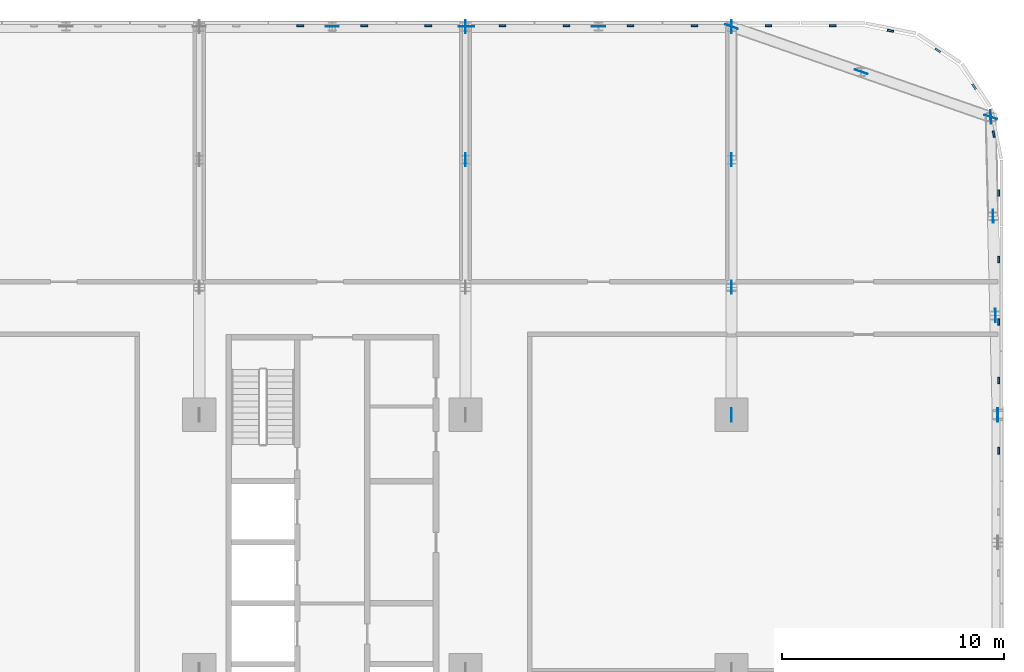
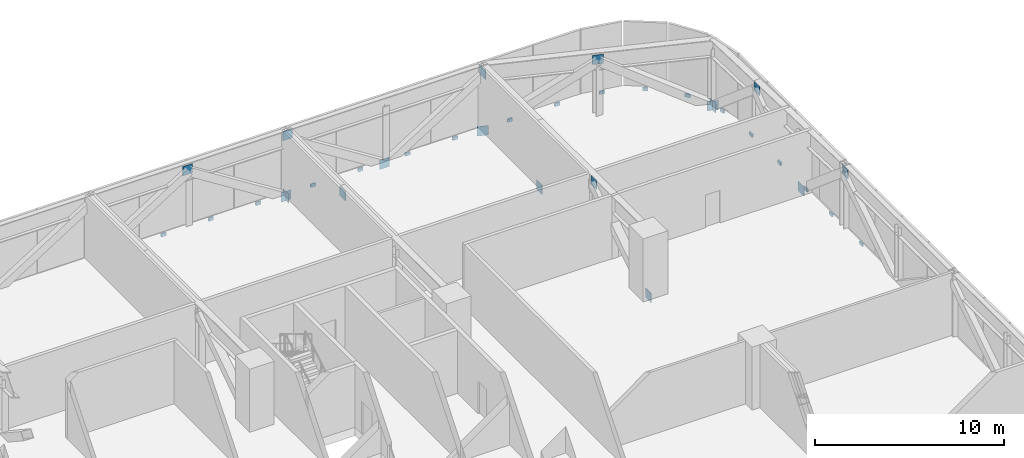
# One storey, part 20 of 26: 36 discrete accessories.
"""IFC4 building model written with IfcOpenShell, lengths in metres."""

from ifc_helpers import new_model, si_unit, direction, frame, origin, origin_2d, place, context, subcontext, project, spatial, rectangle, extrude, material, layer, layer_set, type_object, element, save


model = new_model("IFC4")

# Units and contexts
model_context = context("Model", 3, precision=1e-05, world=origin(), true_north=direction((0.0, 1.0)))
body_context = subcontext(model_context, "Body", "Model", "MODEL_VIEW")
ifc_project = project(units=[si_unit("LENGTHUNIT", "METRE"), si_unit("AREAUNIT", "SQUARE_METRE"), si_unit("VOLUMEUNIT", "CUBIC_METRE"), si_unit("PLANEANGLEUNIT", "RADIAN"), si_unit("MASSUNIT", "GRAM", prefix="KILO")], contexts=[model_context])

# Site, building, storey
site_placement = place(None, origin())
site = spatial("IfcSite", under=ifc_project, at=site_placement, CompositionType="ELEMENT")
building_placement = place(site_placement, origin())
building = spatial("IfcBuilding", under=site, at=building_placement, Name="Mahtab Terrace Research Tower", CompositionType="ELEMENT")
storey_placement = place(building_placement, frame((0.0, 0.0, 80.39990234375)))
storey = spatial("IfcBuildingStorey", under=building, at=storey_placement, Name="L18", CompositionType="ELEMENT", Elevation=80.39990234375)

# Discrete accessories
ifc_material_1 = material(Name="Black anodised aluminium", Category="aluminium")
discrete_accessory_type_1 = type_object("IfcDiscreteAccessoryType", Name="Facade bracket", PredefinedType="BRACKET", material=ifc_material_1)
for number, where, z_axis, x_axis, name in (
    (1, (54.044921875, 18.5, -0.2998046875), (0.0, 0.0, 1.0), (0.0, 1.0, 0.0), "Louvre bracket L18 1"),
    (2, (54.044921875, 21.5, -0.2998046875), (0.0, 0.0, 1.0), (0.0, 1.0, 0.0), "Louvre bracket L18 2"),
    (3, (53.815673828125, 24.15673828125, -0.2998046875), (0.0, 0.0, 1.0), (-0.195212442692, 0.980760981187, 0.0), "Louvre bracket L18 3"),
    (4, (52.930419921875, 26.29443359375, -0.2998046875), (0.0, 0.0, 1.0), (-0.555291490808, 0.831655794326, 0.0), "Louvre bracket L18 4"),
    (5, (51.29443359375, 27.930419921875, -0.2998046875), (0.0, 0.0, 1.0), (-0.831655794326, 0.555291490808, 0.0), "Louvre bracket L18 5"),
    (6, (49.15673828125, 28.815673828125, -0.2998046875), (0.0, 0.0, 1.0), (-0.980760981187, 0.195212442692, 0.0), "Louvre bracket L18 6"),
    (7, (46.556884765625, 29.044921875, -0.2998046875), (0.0, 0.0, 1.0), (-1.0, 0.0, 0.0), "Louvre bracket L18 7"),
    (8, (43.6708984375, 29.044921875, -0.2998046875), (0.0, 0.0, 1.0), (-1.0, 0.0, 0.0), "Louvre bracket L18 8"),
    (9, (40.3291015625, 29.044921875, -0.2998046875), (0.0, 0.0, 1.0), (-1.0, 0.0, 0.0), "Louvre bracket L18 9"),
    (10, (37.443115234375, 29.044921875, -0.2998046875), (0.0, 0.0, 1.0), (-1.0, 0.0, 0.0), "Louvre bracket L18 10"),
    (11, (34.556884765625, 29.044921875, -0.2998046875), (0.0, 0.0, 1.0), (-1.0, 0.0, 0.0), "Louvre bracket L18 11"),
    (12, (31.6708984375, 29.044921875, -0.2998046875), (0.0, 0.0, 1.0), (-1.0, 0.0, 0.0), "Louvre bracket L18 12"),
    (13, (28.3291015625, 29.044921875, -0.2998046875), (0.0, 0.0, 1.0), (-1.0, 0.0, 0.0), "Louvre bracket L18 13"),
    (14, (25.443115234375, 29.044921875, -0.2998046875), (0.0, 0.0, 1.0), (-1.0, 0.0, 0.0), "Louvre bracket L18 14"),
    (15, (22.556884765625, 29.044921875, -0.2998046875), (0.0, 0.0, 1.0), (-1.0, 0.0, 0.0), "Louvre bracket L18 15"),
    (16, (54.044921875, 9.884033203125, -0.2998046875), (0.0, 0.0, 1.0), (0.0, 1.0, 0.0), "Louvre bracket L18 96"),
    (17, (54.044921875, 13.053466796875, -0.2998046875), (0.0, 0.0, 1.0), (0.0, 1.0, 0.0), "Louvre bracket L18 97"),
    (18, (54.044921875, 15.6845703125, -0.2998046875), (0.0, 0.0, 1.0), (0.0, 1.0, 0.0), "Louvre bracket L18 98"),
):
    element("IfcDiscreteAccessory", number, at=place(storey_placement, frame(where, z_axis=z_axis, x_axis=x_axis)), inside=storey, type_object=discrete_accessory_type_1, Name=name, PredefinedType="BRACKET", context=body_context, shape_type="SweptSolid", body=[
        extrude(rectangle(XDim=0.300048828125, YDim=0.090087890625, at=origin_2d()), origin(), (0.0, 0.0, 1.0), 0.199951171875),
    ])
ifc_material_2 = material(Name="Steel ASTM A992 Gr 50", Category="steel")
ifc_layer = layer(ifc_material_2, 0.030029296875)
ifc_layer_set = layer_set([ifc_layer], Name="Gusset plate 600x600x30")
discrete_accessory_type_2 = type_object("IfcDiscreteAccessoryType", Name="Gusset plate 600x600x30", PredefinedType="USERDEFINED", material=ifc_layer_set)
for number, where, z_axis, x_axis, name in (
    (19, (24.0, 29.0, 3.201171875), (0.0, 0.0, 1.0), (1.0, 0.0, 0.0), "Gusset plate"),
    (20, (30.0, 29.0, -0.593505859375), (0.0, 0.0, 1.0), (1.0, 0.0, 0.0), "Gusset plate"),
    (21, (30.104736328125, 29.0, 3.3271484375), (0.0, 0.0, 1.0), (1.0, 0.0, 0.0), "Gusset plate"),
    (22, (36.0, 29.0, -0.593505859375), (0.0, 0.0, 1.0), (1.0, 0.0, 0.0), "Gusset plate"),
    (23, (30.0, 23.0, 3.201171875), (0.0, 0.0, 1.0), (0.0, 1.0, 0.0), "Gusset plate"),
    (24, (30.0, 29.0, -0.593505859375), (0.0, 0.0, 1.0), (0.0, 1.0, 0.0), "Gusset plate"),
    (25, (42.0, 11.5, -0.593505859375), (0.0, 0.0, 1.0), (0.0, 1.0, 0.0), "Gusset plate"),
    (26, (42.0, 17.25, 3.201171875), (0.0, 0.0, 1.0), (0.0, 1.0, 0.0), "Gusset plate"),
    (27, (42.0, 23.0, -0.593505859375), (0.0, 0.0, 1.0), (0.0, 1.0, 0.0), "Gusset plate"),
    (28, (42.0, 29.0, 3.201171875), (0.0, 0.0, 1.0), (0.0, 1.0, 0.0), "Gusset plate"),
    (29, (54.0, 11.5, 3.201171875), (0.0, 0.0, 1.0), (0.0, 1.0, 0.0), "Gusset plate"),
    (30, (53.681884765625, 24.927001953125, -0.593505859375), (0.0, 0.0, 1.0), (-0.023681903794, 0.999719544389, 0.0), "Gusset plate"),
    (31, (53.7880859375, 20.450927734375, 3.201171875), (0.0, 0.0, 1.0), (-0.023681903794, 0.999719544389, 0.0), "Gusset plate"),
    (32, (53.89404296875, 15.97607421875, -0.593505859375), (0.0, 0.0, 1.0), (-0.023681903794, 0.999719544389, 0.0), "Gusset plate"),
    (33, (54.0, 11.5, 3.201171875), (0.0, 0.0, 1.0), (-0.023681903794, 0.999719544389, 0.0), "Gusset plate"),
    (34, (42.0, 29.0, -0.593505859375), (0.0, 0.0, 1.0), (-0.944227038059, 0.329295157267, 0.0), "Gusset plate"),
    (35, (47.841064453125, 26.962890625, 3.201171875), (0.0, 0.0, 1.0), (-0.944227038059, 0.329295157267, 0.0), "Gusset plate"),
    (36, (53.681884765625, 24.927001953125, -0.593505859375), (0.0, 0.0, 1.0), (-0.944278751972, 0.329146834368, 0.0), "Gusset plate"),
):
    element("IfcDiscreteAccessory", number, at=place(storey_placement, frame(where, z_axis=z_axis, x_axis=x_axis)), inside=storey, type_object=discrete_accessory_type_2, Name=name, ObjectType="GUSSET PLATE", PredefinedType="USERDEFINED", context=body_context, shape_type="SweptSolid", body=[
        extrude(rectangle(XDim=0.60009765625, YDim=0.030029296875, at=origin_2d()), origin(), (0.0, 0.0, 1.0), 0.60009765625),
    ])

save(model, "model.ifc")
